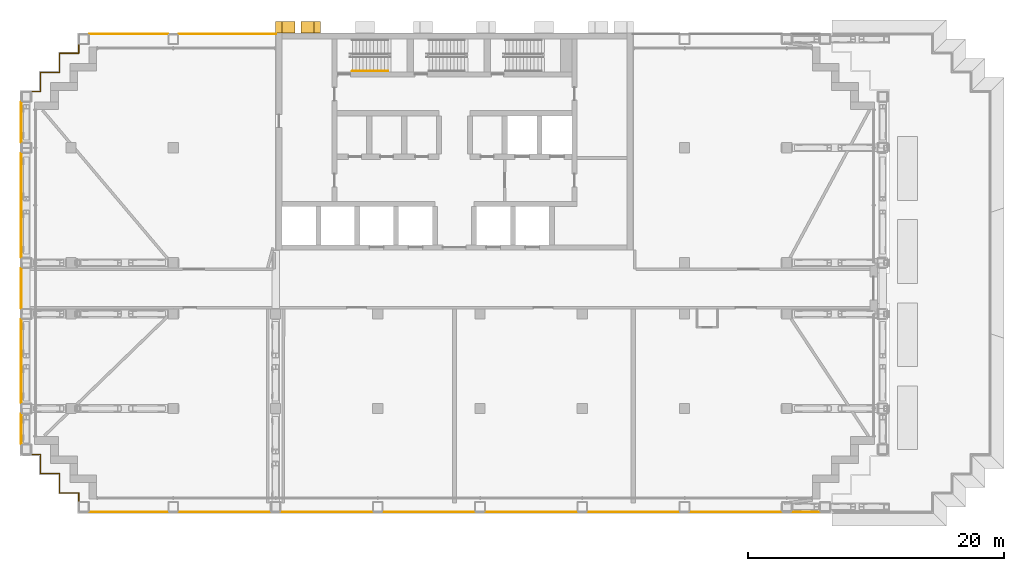
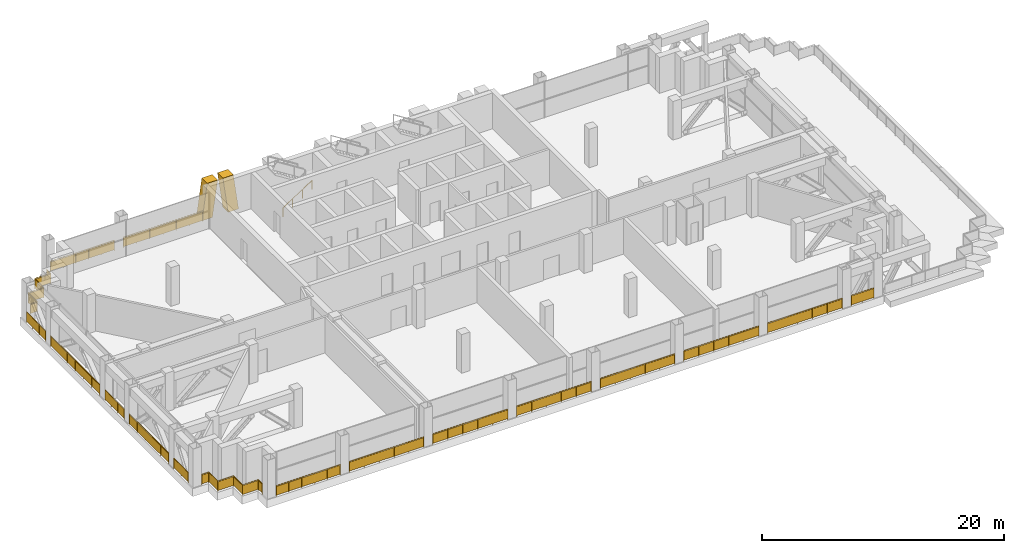
# One storey, part 23 of 25: 18 railings, 2 shading devices.
"""IFC4 building model written with IfcOpenShell, lengths in metres."""

import ifcopenshell
import ifcopenshell.guid

model = None  # the IFC model being written
_history = None  # IfcOwnerHistory: only IFC2X3 demands one
_inside = {}  # id of a spatial element -> (the spatial element, [elements in it])
_under = {}  # id of a project, library or spatial element -> (it, [spatial elements below it])
_declared = {}  # id of a project -> (the project, [libraries it declares])
_typed = {}  # id of a type object -> (the type object, [elements of that type])
_made_of = {}  # id of a material, layer set ... -> (it, [elements and type objects made of it])


def new_model(schema):
    """Start an empty IFC model of exactly this schema.

    Asked for "IFC4X3", IfcOpenShell would pick the latest addendum, in which some entities
    have other attributes; the version numbers below select the first issue.
    IFC2X3 requires an IfcOwnerHistory on every rooted entity: one is made here for all.
    """
    global model, _history
    if schema == "IFC4X3":
        model = ifcopenshell.file(schema_version=(4, 3, 0, 0))
    else:
        model = ifcopenshell.file(schema=schema)
    _inside.clear()
    _under.clear()
    _declared.clear()
    _typed.clear()
    _made_of.clear()
    _history = None
    if model.schema == "IFC2X3":
        org = make("IfcOrganization", Name="unknown")
        user = make(
            "IfcPersonAndOrganization",
            ThePerson=make("IfcPerson", FamilyName="unknown"),
            TheOrganization=org,
        )
        app = make(
            "IfcApplication",
            ApplicationDeveloper=org,
            Version="unknown",
            ApplicationFullName="unknown",
            ApplicationIdentifier="unknown",
        )
        _history = make(
            "IfcOwnerHistory",
            OwningUser=user,
            OwningApplication=app,
            ChangeAction="ADDED",
            CreationDate=0,
        )
    return model


def make(cls, **values):
    """One entity of the class cls with the attributes given. An attribute that is None is left unset."""
    return model.create_entity(
        cls, **{name: value for name, value in values.items() if value is not None}
    )


def rooted(cls, **values):
    """An entity with a GlobalId (a new one), such as an element, a storey or a relation."""
    return make(cls, GlobalId=ifcopenshell.guid.new(), OwnerHistory=_history, **values)


def si_unit(unit_type, name, prefix=None):
    """IfcSIUnit, for example si_unit("LENGTHUNIT", "METRE", prefix="MILLI")."""
    return make("IfcSIUnit", UnitType=unit_type, Prefix=prefix, Name=name)


def assignment(units):
    """IfcUnitAssignment: the units of a project."""
    return None if units is None else make("IfcUnitAssignment", Units=units)


def point(xyz):
    """IfcCartesianPoint."""
    return None if xyz is None else make("IfcCartesianPoint", Coordinates=xyz)


def direction(xyz):
    """IfcDirection."""
    return None if xyz is None else make("IfcDirection", DirectionRatios=xyz)


def frame(location, z_axis=None, x_axis=None):
    """IfcAxis2Placement3D, a coordinate frame: its origin and axes. An axis left out is left unset."""
    return make(
        "IfcAxis2Placement3D",
        Location=point(location),
        Axis=direction(z_axis),
        RefDirection=direction(x_axis),
    )


def frame_2d(location, x_axis=None):
    """IfcAxis2Placement2D, a coordinate frame in the plane: its origin and x axis."""
    return make(
        "IfcAxis2Placement2D", Location=point(location), RefDirection=direction(x_axis)
    )


def origin():
    """The frame at (0, 0, 0) with its axes left unset."""
    return frame((0.0, 0.0, 0.0))


def origin_2d():
    """The frame at (0, 0) in the plane with its x axis left unset."""
    return frame_2d((0.0, 0.0))


def place(relative_to, where):
    """IfcLocalPlacement: puts the frame where relative to a parent placement (None: the world)."""
    return make(
        "IfcLocalPlacement", PlacementRelTo=relative_to, RelativePlacement=where
    )


def context(
    kind, dimensions, precision=None, world=None, true_north=None, identifier=None
):
    """IfcGeometricRepresentationContext, for example the 3D "Model" context."""
    return make(
        "IfcGeometricRepresentationContext",
        ContextIdentifier=identifier,
        ContextType=kind,
        CoordinateSpaceDimension=dimensions,
        Precision=precision,
        WorldCoordinateSystem=world,
        TrueNorth=true_north,
    )


def subcontext(parent, identifier, kind, view, scale=None):
    """IfcGeometricRepresentationSubContext, for example "Body" below "Model"."""
    return make(
        "IfcGeometricRepresentationSubContext",
        ContextIdentifier=identifier,
        ContextType=kind,
        ParentContext=parent,
        TargetScale=scale,
        TargetView=view,
    )


def project(units=None, contexts=None):
    """IfcProject with its units and contexts."""
    return rooted(
        "IfcProject",
        Name="project",
        RepresentationContexts=contexts,
        UnitsInContext=assignment(units),
    )


def spatial(cls, under=None, at=None, **own):
    """A site, building, storey or space (cls), placed at a placement, below another one or the project."""
    s = rooted(cls, ObjectPlacement=at, **own)
    if under is not None:
        _under.setdefault(under.id(), (under, []))[1].append(s)
    return s


def polyline(points):
    """IfcPolyline through the points."""
    return make("IfcPolyline", Points=[point(p) for p in points])


def profile(cls, at=None, kind="AREA", **sizes):
    """A parametric profile (cls). Its sizes go by their IFC names, for example OverallWidth=200.0."""
    return make(cls, ProfileType=kind, Position=at, **sizes)


def rectangle(**sizes):
    """IfcRectangleProfileDef."""
    return profile("IfcRectangleProfileDef", **sizes)


def circle(**sizes):
    """IfcCircleProfileDef."""
    return profile("IfcCircleProfileDef", **sizes)


def outline(outer, holes=None, kind="AREA"):
    """IfcArbitraryClosedProfileDef: a profile drawn as a closed curve; with holes, ...WithVoids."""
    if holes is None:
        return make("IfcArbitraryClosedProfileDef", ProfileType=kind, OuterCurve=outer)
    return make(
        "IfcArbitraryProfileDefWithVoids",
        ProfileType=kind,
        OuterCurve=outer,
        InnerCurves=holes,
    )


def extrude(swept, where, along, depth):
    """IfcExtrudedAreaSolid: the profile swept, set in the frame where, extruded along a direction by depth."""
    return make(
        "IfcExtrudedAreaSolid",
        SweptArea=swept,
        Position=where,
        ExtrudedDirection=direction(along),
        Depth=depth,
    )


def shape(context_of_items, identifier, shape_type, items):
    """IfcShapeRepresentation: the items that make up one representation, for example the "Body"."""
    return make(
        "IfcShapeRepresentation",
        ContextOfItems=context_of_items,
        RepresentationIdentifier=identifier,
        RepresentationType=shape_type,
        Items=items,
    )


def material(Name=None, Category=None):
    """IfcMaterial."""
    return make("IfcMaterial", Name=Name, Category=Category)


def layer(
    of_material, thickness, ventilated=None, Name=None, Category=None, Priority=None
):
    """IfcMaterialLayer: one layer of a wall or slab, of a material (None: an air gap)."""
    return make(
        "IfcMaterialLayer",
        Material=of_material,
        LayerThickness=thickness,
        IsVentilated=ventilated,
        Name=Name,
        Category=Category,
        Priority=Priority,
    )


def layer_set(layers, Name=None):
    """IfcMaterialLayerSet."""
    return make("IfcMaterialLayerSet", MaterialLayers=layers, LayerSetName=Name)


def made_of(thing, what):
    """Note that an element or type object is made of a material, layer set ...; save() writes the relation."""
    if what is not None:
        _made_of.setdefault(what.id(), (what, []))[1].append(thing)
    return thing


def type_object(cls, material=None, **own):
    """A type object (cls), such as IfcWallType, which elements share."""
    return made_of(rooted(cls, **own), material)


def element(
    cls,
    number,
    at=None,
    inside=None,
    cuts=None,
    type_object=None,
    material=None,
    context=None,
    identifier="Body",
    shape_type=None,
    held_by="IfcProductDefinitionShape",
    body=None,
    shapes=None,
    **own,
):
    """One element of the class cls, such as IfcWall. Its Tag is "e" and its number.

    at: its placement. inside: the storey or other place that contains it. cuts: it is an
    opening in that element (IfcRelVoidsElement). A single representation is given by context,
    identifier, shape_type and body (its items); several are given by shapes. held_by: the class
    of the entity that holds the representations. save() writes the other relations.
    """
    e = rooted(cls, Tag="e%d" % number, ObjectPlacement=at, **own)
    if body is not None:
        shapes = [shape(context, identifier, shape_type, body)]
    if shapes is not None:
        e.Representation = make(held_by, Representations=shapes)
    if inside is not None:
        _inside.setdefault(inside.id(), (inside, []))[1].append(e)
    if cuts is not None:
        rooted(
            "IfcRelVoidsElement", RelatingBuildingElement=cuts, RelatedOpeningElement=e
        )
    if type_object is not None:
        _typed.setdefault(type_object.id(), (type_object, []))[1].append(e)
    return made_of(e, material)


def aggregate(whole, parts):
    """IfcRelAggregates: a whole, such as a stair, and the parts it consists of."""
    return rooted("IfcRelAggregates", RelatingObject=whole, RelatedObjects=parts)


def save(model, path):
    """Write the relations noted so far, then the file.

    IfcRelAggregates (storeys below a building ...), IfcRelContainedInSpatialStructure (elements
    in a storey), IfcRelDefinesByType, IfcRelAssociatesMaterial and IfcRelDeclares: one each for
    every whole, place, type object, material and project.
    """
    for whole, parts in _under.values():
        aggregate(whole, parts)
    for where, things in _inside.values():
        rooted(
            "IfcRelContainedInSpatialStructure",
            RelatedElements=things,
            RelatingStructure=where,
        )
    for kind, things in _typed.values():
        rooted("IfcRelDefinesByType", RelatedObjects=things, RelatingType=kind)
    for what, things in _made_of.values():
        rooted("IfcRelAssociatesMaterial", RelatedObjects=things, RelatingMaterial=what)
    for by, libraries in _declared.values():
        rooted("IfcRelDeclares", RelatingContext=by, RelatedDefinitions=libraries)
    model.write(path)


model = new_model("IFC4")

# Units and contexts
model_context = context("Model", 3, precision=1e-05, world=origin(), true_north=direction((0.0, 1.0)))
body_context = subcontext(model_context, "Body", "Model", "MODEL_VIEW")
ifc_project = project(units=[si_unit("LENGTHUNIT", "METRE"), si_unit("AREAUNIT", "SQUARE_METRE"), si_unit("VOLUMEUNIT", "CUBIC_METRE"), si_unit("PLANEANGLEUNIT", "RADIAN"), si_unit("MASSUNIT", "GRAM", prefix="KILO")], contexts=[model_context])

# Site, building, storey
site_placement = place(None, origin())
site = spatial("IfcSite", under=ifc_project, at=site_placement, CompositionType="ELEMENT")
building_placement = place(site_placement, origin())
building = spatial("IfcBuilding", under=site, at=building_placement, Name="Vidyagriha Tower", CompositionType="ELEMENT")
storey_placement = place(building_placement, frame((0.0, 0.0, 115.89990234375)))
storey = spatial("IfcBuildingStorey", under=building, at=storey_placement, Name="L29", CompositionType="ELEMENT", Elevation=115.89990234375)

# Shading devices
ifc_material_1 = material(Name="Precast concrete C40/50 with brick facing", Category="concrete")
ifc_layer = layer(ifc_material_1, 1.0)
ifc_layer_set = layer_set([ifc_layer], Name="Precast concrete C40/50 with brick facing")
shading_device_type = type_object("IfcShadingDeviceType", Name="Brick-faced rear rib arm leaning 8 degrees", PredefinedType="USERDEFINED", material=ifc_layer_set)
shading_device_1_placement = place(storey_placement, frame((-10.5, 20.449951171875, 0.0), z_axis=(0.0, 0.0, 1.0), x_axis=(-1.0, 0.0, 0.0)))
element("IfcShadingDevice", 1, at=shading_device_1_placement, inside=storey, type_object=shading_device_type, Name="Rear rib arm L29 R08.5a", ObjectType="BLADE FIN", PredefinedType="USERDEFINED", context=body_context, shape_type="SweptSolid", body=[
    extrude(outline(polyline([(0.0, 0.0), (1.0, 0.0), (1.5, 3.6201171875), (0.5, 3.6201171875), (0.0, 0.0)])), frame((0.0, 0.449951171875, 0.0), z_axis=(0.0, -1.0, 0.0), x_axis=(1.0, 0.0, 0.0)), (0.0, 0.0, 1.0), 0.89990234375),
])
shading_device_2_placement = place(storey_placement, frame((-12.5, 20.449951171875, 0.0), z_axis=(0.0, 0.0, 1.0), x_axis=(-1.0, 0.0, 0.0)))
element("IfcShadingDevice", 2, at=shading_device_2_placement, inside=storey, type_object=shading_device_type, Name="Rear rib arm L29 R08.5b", ObjectType="BLADE FIN", PredefinedType="USERDEFINED", context=body_context, shape_type="SweptSolid", body=[
    extrude(outline(polyline([(0.5, 0.0), (1.5, 0.0), (1.0, 3.6201171875), (0.0, 3.6201171875), (0.5, 0.0)])), frame((0.0, 0.449951171875, 0.0), z_axis=(0.0, -1.0, 0.0), x_axis=(1.0, 0.0, 0.0)), (0.0, 0.0, 1.0), 0.89990234375),
])

# Railings
ifc_material_2 = material(Name="Steel ASTM A500 Grade C black painted", Category="steel")
railing_type_1 = type_object("IfcRailingType", Name="Gallery guard 1100", PredefinedType="GUARDRAIL", material=ifc_material_2)
railing_1_placement = place(storey_placement, frame((-33.89990234375, -12.169921875, 0.0)))
element("IfcRailing", 3, at=railing_1_placement, inside=storey, type_object=railing_type_1, Name="Gallery guard L29 1", PredefinedType="GUARDRAIL", context=body_context, shape_type="SweptSolid", body=[
    extrude(circle(Radius=0.02490234375, at=origin_2d()), frame((0.0, 0.0, 1.0751953125), z_axis=(0.0, 1.0, 0.0), x_axis=(-1.0, 0.0, 0.0)), (0.0, 0.0, 1.0), 2.33984375),
    extrude(circle(Radius=0.02001953125, at=origin_2d()), origin(), (0.0, 0.0, 1.0), 1.050048828125),
    extrude(circle(Radius=0.02001953125, at=origin_2d()), frame((0.0, 1.169921875, 0.0)), (0.0, 0.0, 1.0), 1.050048828125),
    extrude(circle(Radius=0.02001953125, at=origin_2d()), frame((0.0, 2.33984375, 0.0)), (0.0, 0.0, 1.0), 1.050048828125),
    extrude(rectangle(XDim=0.010009765625, YDim=0.900146484375, at=origin_2d()), frame((0.0, 0.0, 0.550048828125), z_axis=(0.0, 1.0, 0.0), x_axis=(-1.0, 0.0, 0.0)), (0.0, 0.0, 1.0), 2.33984375),
])
railing_2_placement = place(storey_placement, frame((-33.89990234375, -8.969970703125, 0.0)))
element("IfcRailing", 4, at=railing_2_placement, inside=storey, type_object=railing_type_1, Name="Gallery guard L29 2", PredefinedType="GUARDRAIL", context=body_context, shape_type="SweptSolid", body=[
    extrude(circle(Radius=0.02490234375, at=origin_2d()), frame((0.0, 0.0, 1.0751953125), z_axis=(0.0, 1.0, 0.0), x_axis=(-1.0, 0.0, 0.0)), (0.0, 0.0, 1.0), 6.5400390625),
    extrude(circle(Radius=0.02001953125, at=origin_2d()), origin(), (0.0, 0.0, 1.0), 1.050048828125),
    extrude(circle(Radius=0.02001953125, at=origin_2d()), frame((0.0, 1.30810546875, 0.0)), (0.0, 0.0, 1.0), 1.050048828125),
    extrude(circle(Radius=0.02001953125, at=origin_2d()), frame((0.0, 2.615966796875, 0.0)), (0.0, 0.0, 1.0), 1.050048828125),
    extrude(circle(Radius=0.02001953125, at=origin_2d()), frame((0.0, 3.924072265625, 0.0)), (0.0, 0.0, 1.0), 1.050048828125),
    extrude(circle(Radius=0.02001953125, at=origin_2d()), frame((0.0, 5.23193359375, 0.0)), (0.0, 0.0, 1.0), 1.050048828125),
    extrude(circle(Radius=0.02001953125, at=origin_2d()), frame((0.0, 6.5400390625, 0.0)), (0.0, 0.0, 1.0), 1.050048828125),
    extrude(rectangle(XDim=0.010009765625, YDim=0.900146484375, at=origin_2d()), frame((0.0, 0.0, 0.550048828125), z_axis=(0.0, 1.0, 0.0), x_axis=(-1.0, 0.0, 0.0)), (0.0, 0.0, 1.0), 6.5400390625),
])
railing_3_placement = place(storey_placement, frame((-33.89990234375, -1.570068359375, 0.0)))
element("IfcRailing", 5, at=railing_3_placement, inside=storey, type_object=railing_type_1, Name="Gallery guard L29 3", PredefinedType="GUARDRAIL", context=body_context, shape_type="SweptSolid", body=[
    extrude(circle(Radius=0.02490234375, at=origin_2d()), frame((0.0, 0.0, 1.0751953125), z_axis=(0.0, 1.0, 0.0), x_axis=(-1.0, 0.0, 0.0)), (0.0, 0.0, 1.0), 3.14013671875),
    extrude(circle(Radius=0.02001953125, at=origin_2d()), origin(), (0.0, 0.0, 1.0), 1.050048828125),
    extrude(circle(Radius=0.02001953125, at=origin_2d()), frame((0.0, 1.046630859375, 0.0)), (0.0, 0.0, 1.0), 1.050048828125),
    extrude(circle(Radius=0.02001953125, at=origin_2d()), frame((0.0, 2.093505859375, 0.0)), (0.0, 0.0, 1.0), 1.050048828125),
    extrude(circle(Radius=0.02001953125, at=origin_2d()), frame((0.0, 3.14013671875, 0.0)), (0.0, 0.0, 1.0), 1.050048828125),
    extrude(rectangle(XDim=0.010009765625, YDim=0.900146484375, at=origin_2d()), frame((0.0, 0.0, 0.550048828125), z_axis=(0.0, 1.0, 0.0), x_axis=(-1.0, 0.0, 0.0)), (0.0, 0.0, 1.0), 3.14013671875),
])
railing_4_placement = place(storey_placement, frame((-33.89990234375, 2.429931640625, 0.0)))
element("IfcRailing", 6, at=railing_4_placement, inside=storey, type_object=railing_type_1, Name="Gallery guard L29 4", PredefinedType="GUARDRAIL", context=body_context, shape_type="SweptSolid", body=[
    extrude(circle(Radius=0.02490234375, at=origin_2d()), frame((0.0, 0.0, 1.0751953125), z_axis=(0.0, 1.0, 0.0), x_axis=(-1.0, 0.0, 0.0)), (0.0, 0.0, 1.0), 8.14013671875),
    extrude(circle(Radius=0.02001953125, at=origin_2d()), origin(), (0.0, 0.0, 1.0), 1.050048828125),
    extrude(circle(Radius=0.02001953125, at=origin_2d()), frame((0.0, 1.356689453125, 0.0)), (0.0, 0.0, 1.0), 1.050048828125),
    extrude(circle(Radius=0.02001953125, at=origin_2d()), frame((0.0, 2.71337890625, 0.0)), (0.0, 0.0, 1.0), 1.050048828125),
    extrude(circle(Radius=0.02001953125, at=origin_2d()), frame((0.0, 4.070068359375, 0.0)), (0.0, 0.0, 1.0), 1.050048828125),
    extrude(circle(Radius=0.02001953125, at=origin_2d()), frame((0.0, 5.4267578125, 0.0)), (0.0, 0.0, 1.0), 1.050048828125),
    extrude(circle(Radius=0.02001953125, at=origin_2d()), frame((0.0, 6.783447265625, 0.0)), (0.0, 0.0, 1.0), 1.050048828125),
    extrude(circle(Radius=0.02001953125, at=origin_2d()), frame((0.0, 8.14013671875, 0.0)), (0.0, 0.0, 1.0), 1.050048828125),
    extrude(rectangle(XDim=0.010009765625, YDim=0.900146484375, at=origin_2d()), frame((0.0, 0.0, 0.550048828125), z_axis=(0.0, 1.0, 0.0), x_axis=(-1.0, 0.0, 0.0)), (0.0, 0.0, 1.0), 8.14013671875),
])
railing_5_placement = place(storey_placement, frame((-33.89990234375, 11.429931640625, 0.0)))
element("IfcRailing", 7, at=railing_5_placement, inside=storey, type_object=railing_type_1, Name="Gallery guard L29 5", PredefinedType="GUARDRAIL", context=body_context, shape_type="SweptSolid", body=[
    extrude(circle(Radius=0.02490234375, at=origin_2d()), frame((0.0, 0.0, 1.0751953125), z_axis=(0.0, 1.0, 0.0), x_axis=(-1.0, 0.0, 0.0)), (0.0, 0.0, 1.0), 3.14013671875),
    extrude(circle(Radius=0.02001953125, at=origin_2d()), origin(), (0.0, 0.0, 1.0), 1.050048828125),
    extrude(circle(Radius=0.02001953125, at=origin_2d()), frame((0.0, 1.046630859375, 0.0)), (0.0, 0.0, 1.0), 1.050048828125),
    extrude(circle(Radius=0.02001953125, at=origin_2d()), frame((0.0, 2.093505859375, 0.0)), (0.0, 0.0, 1.0), 1.050048828125),
    extrude(circle(Radius=0.02001953125, at=origin_2d()), frame((0.0, 3.14013671875, 0.0)), (0.0, 0.0, 1.0), 1.050048828125),
    extrude(rectangle(XDim=0.010009765625, YDim=0.900146484375, at=origin_2d()), frame((0.0, 0.0, 0.550048828125), z_axis=(0.0, 1.0, 0.0), x_axis=(-1.0, 0.0, 0.0)), (0.0, 0.0, 1.0), 3.14013671875),
])
railing_6_placement = place(storey_placement, frame((-29.39990234375, -16.669921875, 0.0)))
element("IfcRailing", 8, at=railing_6_placement, inside=storey, type_object=railing_type_1, Name="Gallery guard L29 6", PredefinedType="GUARDRAIL", context=body_context, shape_type="SweptSolid", body=[
    extrude(circle(Radius=0.02490234375, at=origin_2d()), frame((0.0, 0.0, 1.0751953125), z_axis=(0.0, 1.0, 0.0), x_axis=(-1.0, 0.0, 0.0)), (0.0, 0.0, 1.0), 0.669921875),
    extrude(circle(Radius=0.02490234375, at=origin_2d()), frame((0.0, 0.669921875, 1.0751953125), z_axis=(-1.0, 0.0, 0.0), x_axis=(0.0, -1.0, 0.0)), (0.0, 0.0, 1.0), 1.5),
    extrude(circle(Radius=0.02490234375, at=origin_2d()), frame((-1.5, 0.669921875, 1.0751953125), z_axis=(0.0, 1.0, 0.0), x_axis=(-1.0, 0.0, 0.0)), (0.0, 0.0, 1.0), 1.5),
    extrude(circle(Radius=0.02490234375, at=origin_2d()), frame((-1.5, 2.169921875, 1.0751953125), z_axis=(-1.0, 0.0, 0.0), x_axis=(0.0, -1.0, 0.0)), (0.0, 0.0, 1.0), 1.5),
    extrude(circle(Radius=0.02490234375, at=origin_2d()), frame((-3.0, 2.169921875, 1.0751953125), z_axis=(0.0, 1.0, 0.0), x_axis=(-1.0, 0.0, 0.0)), (0.0, 0.0, 1.0), 1.5),
    extrude(circle(Radius=0.02490234375, at=origin_2d()), frame((-3.0, 3.669921875, 1.0751953125), z_axis=(-1.0, 0.0, 0.0), x_axis=(0.0, -1.0, 0.0)), (0.0, 0.0, 1.0), 0.670166015625),
    extrude(circle(Radius=0.02001953125, at=origin_2d()), origin(), (0.0, 0.0, 1.0), 1.050048828125),
    extrude(circle(Radius=0.02001953125, at=origin_2d()), frame((0.0, 0.669921875, 0.0)), (0.0, 0.0, 1.0), 1.050048828125),
    extrude(circle(Radius=0.02001953125, at=origin_2d()), frame((-1.5, 0.669921875, 0.0)), (0.0, 0.0, 1.0), 1.050048828125),
    extrude(circle(Radius=0.02001953125, at=origin_2d()), frame((-1.5, 2.169921875, 0.0)), (0.0, 0.0, 1.0), 1.050048828125),
    extrude(circle(Radius=0.02001953125, at=origin_2d()), frame((-3.0, 2.169921875, 0.0)), (0.0, 0.0, 1.0), 1.050048828125),
    extrude(circle(Radius=0.02001953125, at=origin_2d()), frame((-3.0, 3.669921875, 0.0)), (0.0, 0.0, 1.0), 1.050048828125),
    extrude(circle(Radius=0.02001953125, at=origin_2d()), frame((-3.670166015625, 3.669921875, 0.0)), (0.0, 0.0, 1.0), 1.050048828125),
    extrude(rectangle(XDim=0.010009765625, YDim=0.900146484375, at=origin_2d()), frame((0.0, 0.0, 0.550048828125), z_axis=(0.0, 1.0, 0.0), x_axis=(-1.0, 0.0, 0.0)), (0.0, 0.0, 1.0), 0.669921875),
    extrude(rectangle(XDim=0.010009765625, YDim=0.900146484375, at=origin_2d()), frame((0.0, 0.669921875, 0.550048828125), z_axis=(-1.0, 0.0, 0.0), x_axis=(0.0, -1.0, 0.0)), (0.0, 0.0, 1.0), 1.5),
    extrude(rectangle(XDim=0.010009765625, YDim=0.900146484375, at=origin_2d()), frame((-1.5, 0.669921875, 0.550048828125), z_axis=(0.0, 1.0, 0.0), x_axis=(-1.0, 0.0, 0.0)), (0.0, 0.0, 1.0), 1.5),
    extrude(rectangle(XDim=0.010009765625, YDim=0.900146484375, at=origin_2d()), frame((-1.5, 2.169921875, 0.550048828125), z_axis=(-1.0, 0.0, 0.0), x_axis=(0.0, -1.0, 0.0)), (0.0, 0.0, 1.0), 1.5),
    extrude(rectangle(XDim=0.010009765625, YDim=0.900146484375, at=origin_2d()), frame((-3.0, 2.169921875, 0.550048828125), z_axis=(0.0, 1.0, 0.0), x_axis=(-1.0, 0.0, 0.0)), (0.0, 0.0, 1.0), 1.5),
    extrude(rectangle(XDim=0.010009765625, YDim=0.900146484375, at=origin_2d()), frame((-3.0, 3.669921875, 0.550048828125), z_axis=(-1.0, 0.0, 0.0), x_axis=(0.0, -1.0, 0.0)), (0.0, 0.0, 1.0), 0.670166015625),
])
railing_7_placement = place(storey_placement, frame((-33.070068359375, 15.39990234375, 0.0)))
element("IfcRailing", 9, at=railing_7_placement, inside=storey, type_object=railing_type_1, Name="Gallery guard L29 7", PredefinedType="GUARDRAIL", context=body_context, shape_type="SweptSolid", body=[
    extrude(circle(Radius=0.02490234375, at=origin_2d()), frame((0.0, 0.0, 1.0751953125), z_axis=(1.0, 0.0, 0.0), x_axis=(0.0, 1.0, 0.0)), (0.0, 0.0, 1.0), 0.670166015625),
    extrude(circle(Radius=0.02490234375, at=origin_2d()), frame((0.670166015625, 0.0, 1.0751953125), z_axis=(0.0, 1.0, 0.0), x_axis=(-1.0, 0.0, 0.0)), (0.0, 0.0, 1.0), 1.5),
    extrude(circle(Radius=0.02490234375, at=origin_2d()), frame((0.670166015625, 1.5, 1.0751953125), z_axis=(1.0, 0.0, 0.0), x_axis=(0.0, 1.0, 0.0)), (0.0, 0.0, 1.0), 1.5),
    extrude(circle(Radius=0.02490234375, at=origin_2d()), frame((2.170166015625, 1.5, 1.0751953125), z_axis=(0.0, 1.0, 0.0), x_axis=(-1.0, 0.0, 0.0)), (0.0, 0.0, 1.0), 1.5),
    extrude(circle(Radius=0.02490234375, at=origin_2d()), frame((2.170166015625, 3.0, 1.0751953125), z_axis=(1.0, 0.0, 0.0), x_axis=(0.0, 1.0, 0.0)), (0.0, 0.0, 1.0), 1.5),
    extrude(circle(Radius=0.02490234375, at=origin_2d()), frame((3.670166015625, 3.0, 1.0751953125), z_axis=(0.0, 1.0, 0.0), x_axis=(-1.0, 0.0, 0.0)), (0.0, 0.0, 1.0), 0.670166015625),
    extrude(circle(Radius=0.02001953125, at=origin_2d()), origin(), (0.0, 0.0, 1.0), 1.050048828125),
    extrude(circle(Radius=0.02001953125, at=origin_2d()), frame((0.670166015625, 0.0, 0.0)), (0.0, 0.0, 1.0), 1.050048828125),
    extrude(circle(Radius=0.02001953125, at=origin_2d()), frame((0.670166015625, 1.5, 0.0)), (0.0, 0.0, 1.0), 1.050048828125),
    extrude(circle(Radius=0.02001953125, at=origin_2d()), frame((2.170166015625, 1.5, 0.0)), (0.0, 0.0, 1.0), 1.050048828125),
    extrude(circle(Radius=0.02001953125, at=origin_2d()), frame((2.170166015625, 3.0, 0.0)), (0.0, 0.0, 1.0), 1.050048828125),
    extrude(circle(Radius=0.02001953125, at=origin_2d()), frame((3.670166015625, 3.0, 0.0)), (0.0, 0.0, 1.0), 1.050048828125),
    extrude(circle(Radius=0.02001953125, at=origin_2d()), frame((3.670166015625, 3.670166015625, 0.0)), (0.0, 0.0, 1.0), 1.050048828125),
    extrude(rectangle(XDim=0.010009765625, YDim=0.900146484375, at=origin_2d()), frame((0.0, 0.0, 0.550048828125), z_axis=(1.0, 0.0, 0.0), x_axis=(0.0, 1.0, 0.0)), (0.0, 0.0, 1.0), 0.670166015625),
    extrude(rectangle(XDim=0.010009765625, YDim=0.900146484375, at=origin_2d()), frame((0.670166015625, 0.0, 0.550048828125), z_axis=(0.0, 1.0, 0.0), x_axis=(-1.0, 0.0, 0.0)), (0.0, 0.0, 1.0), 1.5),
    extrude(rectangle(XDim=0.010009765625, YDim=0.900146484375, at=origin_2d()), frame((0.670166015625, 1.5, 0.550048828125), z_axis=(1.0, 0.0, 0.0), x_axis=(0.0, 1.0, 0.0)), (0.0, 0.0, 1.0), 1.5),
    extrude(rectangle(XDim=0.010009765625, YDim=0.900146484375, at=origin_2d()), frame((2.170166015625, 1.5, 0.550048828125), z_axis=(0.0, 1.0, 0.0), x_axis=(-1.0, 0.0, 0.0)), (0.0, 0.0, 1.0), 1.5),
    extrude(rectangle(XDim=0.010009765625, YDim=0.900146484375, at=origin_2d()), frame((2.170166015625, 3.0, 0.550048828125), z_axis=(1.0, 0.0, 0.0), x_axis=(0.0, 1.0, 0.0)), (0.0, 0.0, 1.0), 1.5),
    extrude(rectangle(XDim=0.010009765625, YDim=0.900146484375, at=origin_2d()), frame((3.670166015625, 3.0, 0.550048828125), z_axis=(0.0, 1.0, 0.0), x_axis=(-1.0, 0.0, 0.0)), (0.0, 0.0, 1.0), 0.670166015625),
])
railing_8_placement = place(storey_placement, frame((-22.429931640625, -17.5, 0.0)))
element("IfcRailing", 10, at=railing_8_placement, inside=storey, type_object=railing_type_1, Name="Gallery guard L29 8", PredefinedType="GUARDRAIL", context=body_context, shape_type="SweptSolid", body=[
    extrude(circle(Radius=0.02490234375, at=origin_2d()), frame((0.0, 0.0, 1.0751953125), z_axis=(-1.0, 0.0, 0.0), x_axis=(0.0, -1.0, 0.0)), (0.0, 0.0, 1.0), 6.14013671875),
    extrude(circle(Radius=0.02001953125, at=origin_2d()), origin(), (0.0, 0.0, 1.0), 1.050048828125),
    extrude(circle(Radius=0.02001953125, at=origin_2d()), frame((-1.22802734375, 0.0, 0.0)), (0.0, 0.0, 1.0), 1.050048828125),
    extrude(circle(Radius=0.02001953125, at=origin_2d()), frame((-2.4560546875, 0.0, 0.0)), (0.0, 0.0, 1.0), 1.050048828125),
    extrude(circle(Radius=0.02001953125, at=origin_2d()), frame((-3.68408203125, 0.0, 0.0)), (0.0, 0.0, 1.0), 1.050048828125),
    extrude(circle(Radius=0.02001953125, at=origin_2d()), frame((-4.912109375, 0.0, 0.0)), (0.0, 0.0, 1.0), 1.050048828125),
    extrude(circle(Radius=0.02001953125, at=origin_2d()), frame((-6.14013671875, 0.0, 0.0)), (0.0, 0.0, 1.0), 1.050048828125),
    extrude(rectangle(XDim=0.010009765625, YDim=0.900146484375, at=origin_2d()), frame((0.0, 0.0, 0.550048828125), z_axis=(-1.0, 0.0, 0.0), x_axis=(0.0, -1.0, 0.0)), (0.0, 0.0, 1.0), 6.14013671875),
])
railing_9_placement = place(storey_placement, frame((-28.570068359375, 19.89990234375, 0.0)))
element("IfcRailing", 11, at=railing_9_placement, inside=storey, type_object=railing_type_1, Name="Gallery guard L29 9", PredefinedType="GUARDRAIL", context=body_context, shape_type="SweptSolid", body=[
    extrude(circle(Radius=0.02490234375, at=origin_2d()), frame((0.0, 0.0, 1.0751953125), z_axis=(1.0, 0.0, 0.0), x_axis=(0.0, 1.0, 0.0)), (0.0, 0.0, 1.0), 6.14013671875),
    extrude(circle(Radius=0.02001953125, at=origin_2d()), origin(), (0.0, 0.0, 1.0), 1.050048828125),
    extrude(circle(Radius=0.02001953125, at=origin_2d()), frame((1.22802734375, 0.0, 0.0)), (0.0, 0.0, 1.0), 1.050048828125),
    extrude(circle(Radius=0.02001953125, at=origin_2d()), frame((2.4560546875, 0.0, 0.0)), (0.0, 0.0, 1.0), 1.050048828125),
    extrude(circle(Radius=0.02001953125, at=origin_2d()), frame((3.68408203125, 0.0, 0.0)), (0.0, 0.0, 1.0), 1.050048828125),
    extrude(circle(Radius=0.02001953125, at=origin_2d()), frame((4.912109375, 0.0, 0.0)), (0.0, 0.0, 1.0), 1.050048828125),
    extrude(circle(Radius=0.02001953125, at=origin_2d()), frame((6.14013671875, 0.0, 0.0)), (0.0, 0.0, 1.0), 1.050048828125),
    extrude(rectangle(XDim=0.010009765625, YDim=0.900146484375, at=origin_2d()), frame((0.0, 0.0, 0.550048828125), z_axis=(1.0, 0.0, 0.0), x_axis=(0.0, 1.0, 0.0)), (0.0, 0.0, 1.0), 6.14013671875),
])
railing_10_placement = place(storey_placement, frame((-14.429931640625, -17.5, 0.0)))
element("IfcRailing", 12, at=railing_10_placement, inside=storey, type_object=railing_type_1, Name="Gallery guard L29 10", PredefinedType="GUARDRAIL", context=body_context, shape_type="SweptSolid", body=[
    extrude(circle(Radius=0.02490234375, at=origin_2d()), frame((0.0, 0.0, 1.0751953125), z_axis=(-1.0, 0.0, 0.0), x_axis=(0.0, -1.0, 0.0)), (0.0, 0.0, 1.0), 7.14013671875),
    extrude(circle(Radius=0.02001953125, at=origin_2d()), origin(), (0.0, 0.0, 1.0), 1.050048828125),
    extrude(circle(Radius=0.02001953125, at=origin_2d()), frame((-1.427978515625, 0.0, 0.0)), (0.0, 0.0, 1.0), 1.050048828125),
    extrude(circle(Radius=0.02001953125, at=origin_2d()), frame((-2.85595703125, 0.0, 0.0)), (0.0, 0.0, 1.0), 1.050048828125),
    extrude(circle(Radius=0.02001953125, at=origin_2d()), frame((-4.2841796875, 0.0, 0.0)), (0.0, 0.0, 1.0), 1.050048828125),
    extrude(circle(Radius=0.02001953125, at=origin_2d()), frame((-5.712158203125, 0.0, 0.0)), (0.0, 0.0, 1.0), 1.050048828125),
    extrude(circle(Radius=0.02001953125, at=origin_2d()), frame((-7.14013671875, 0.0, 0.0)), (0.0, 0.0, 1.0), 1.050048828125),
    extrude(rectangle(XDim=0.010009765625, YDim=0.900146484375, at=origin_2d()), frame((0.0, 0.0, 0.550048828125), z_axis=(-1.0, 0.0, 0.0), x_axis=(0.0, -1.0, 0.0)), (0.0, 0.0, 1.0), 7.14013671875),
])
railing_11_placement = place(storey_placement, frame((-21.570068359375, 19.89990234375, 0.0)))
element("IfcRailing", 13, at=railing_11_placement, inside=storey, type_object=railing_type_1, Name="Gallery guard L29 11", PredefinedType="GUARDRAIL", context=body_context, shape_type="SweptSolid", body=[
    extrude(circle(Radius=0.02490234375, at=origin_2d()), frame((0.0, 0.0, 1.0751953125), z_axis=(1.0, 0.0, 0.0), x_axis=(0.0, 1.0, 0.0)), (0.0, 0.0, 1.0), 7.590087890625),
    extrude(circle(Radius=0.02001953125, at=origin_2d()), origin(), (0.0, 0.0, 1.0), 1.050048828125),
    extrude(circle(Radius=0.02001953125, at=origin_2d()), frame((1.26513671875, 0.0, 0.0)), (0.0, 0.0, 1.0), 1.050048828125),
    extrude(circle(Radius=0.02001953125, at=origin_2d()), frame((2.530029296875, 0.0, 0.0)), (0.0, 0.0, 1.0), 1.050048828125),
    extrude(circle(Radius=0.02001953125, at=origin_2d()), frame((3.794921875, 0.0, 0.0)), (0.0, 0.0, 1.0), 1.050048828125),
    extrude(circle(Radius=0.02001953125, at=origin_2d()), frame((5.06005859375, 0.0, 0.0)), (0.0, 0.0, 1.0), 1.050048828125),
    extrude(circle(Radius=0.02001953125, at=origin_2d()), frame((6.3251953125, 0.0, 0.0)), (0.0, 0.0, 1.0), 1.050048828125),
    extrude(circle(Radius=0.02001953125, at=origin_2d()), frame((7.590087890625, 0.0, 0.0)), (0.0, 0.0, 1.0), 1.050048828125),
    extrude(rectangle(XDim=0.010009765625, YDim=0.900146484375, at=origin_2d()), frame((0.0, 0.0, 0.550048828125), z_axis=(1.0, 0.0, 0.0), x_axis=(0.0, 1.0, 0.0)), (0.0, 0.0, 1.0), 7.590087890625),
])
for number, where, name in (
    (14, (-6.429931640625, -17.5, 0.0), "Gallery guard L29 12"),
    (15, (1.570068359375, -17.5, 0.0), "Gallery guard L29 13"),
    (16, (9.570068359375, -17.5, 0.0), "Gallery guard L29 14"),
    (17, (17.570068359375, -17.5, 0.0), "Gallery guard L29 15"),
    (18, (25.570068359375, -17.5, 0.0), "Gallery guard L29 17"),
):
    element("IfcRailing", number, at=place(storey_placement, frame(where)), inside=storey, type_object=railing_type_1, Name=name, PredefinedType="GUARDRAIL", context=body_context, shape_type="SweptSolid", body=[
        extrude(circle(Radius=0.02490234375, at=origin_2d()), frame((0.0, 0.0, 1.0751953125), z_axis=(-1.0, 0.0, 0.0), x_axis=(0.0, -1.0, 0.0)), (0.0, 0.0, 1.0), 7.14013671875),
        extrude(circle(Radius=0.02001953125, at=origin_2d()), origin(), (0.0, 0.0, 1.0), 1.050048828125),
        extrude(circle(Radius=0.02001953125, at=origin_2d()), frame((-1.427978515625, 0.0, 0.0)), (0.0, 0.0, 1.0), 1.050048828125),
        extrude(circle(Radius=0.02001953125, at=origin_2d()), frame((-2.85595703125, 0.0, 0.0)), (0.0, 0.0, 1.0), 1.050048828125),
        extrude(circle(Radius=0.02001953125, at=origin_2d()), frame((-4.2841796875, 0.0, 0.0)), (0.0, 0.0, 1.0), 1.050048828125),
        extrude(circle(Radius=0.02001953125, at=origin_2d()), frame((-5.712158203125, 0.0, 0.0)), (0.0, 0.0, 1.0), 1.050048828125),
        extrude(circle(Radius=0.02001953125, at=origin_2d()), frame((-7.14013671875, 0.0, 0.0)), (0.0, 0.0, 1.0), 1.050048828125),
        extrude(rectangle(XDim=0.010009765625, YDim=0.900146484375, at=origin_2d()), frame((0.0, 0.0, 0.550048828125), z_axis=(-1.0, 0.0, 0.0), x_axis=(0.0, -1.0, 0.0)), (0.0, 0.0, 1.0), 7.14013671875),
    ])
railing_12_placement = place(storey_placement, frame((28.570068359375, -17.5, 0.0)))
element("IfcRailing", 19, at=railing_12_placement, inside=storey, type_object=railing_type_1, Name="Gallery guard L29 19", PredefinedType="GUARDRAIL", context=body_context, shape_type="SweptSolid", body=[
    extrude(circle(Radius=0.02490234375, at=origin_2d()), frame((0.0, 0.0, 1.0751953125), z_axis=(-1.0, 0.0, 0.0), x_axis=(0.0, -1.0, 0.0)), (0.0, 0.0, 1.0), 2.14013671875),
    extrude(circle(Radius=0.02001953125, at=origin_2d()), origin(), (0.0, 0.0, 1.0), 1.050048828125),
    extrude(circle(Radius=0.02001953125, at=origin_2d()), frame((-1.070068359375, 0.0, 0.0)), (0.0, 0.0, 1.0), 1.050048828125),
    extrude(circle(Radius=0.02001953125, at=origin_2d()), frame((-2.14013671875, 0.0, 0.0)), (0.0, 0.0, 1.0), 1.050048828125),
    extrude(rectangle(XDim=0.010009765625, YDim=0.900146484375, at=origin_2d()), frame((0.0, 0.0, 0.550048828125), z_axis=(-1.0, 0.0, 0.0), x_axis=(0.0, -1.0, 0.0)), (0.0, 0.0, 1.0), 2.14013671875),
])
ifc_material_3 = material(Name="Steel ASTM A500 Grade C", Category="steel")
railing_type_2 = type_object("IfcRailingType", Name="Stair handrail 900 mm, steel", PredefinedType="HANDRAIL", material=ifc_material_3)
railing_13_placement = place(storey_placement, frame((-8.0, 17.0, 0.177490234375)))
element("IfcRailing", 20, at=railing_13_placement, inside=storey, type_object=railing_type_2, Name="L29 ST1 stair handrail 1", PredefinedType="HANDRAIL", context=body_context, shape_type="SweptSolid", body=[
    extrude(circle(Radius=0.02392578125, at=origin_2d()), frame((0.0, 0.0, 0.8759765625), z_axis=(0.844908973607, 0.0, 0.534910110503), x_axis=(0.0, 1.0, 0.0)), (0.0, 0.0, 1.0), 3.31396484375),
    extrude(circle(Radius=0.02099609375, at=origin_2d()), origin(), (0.0, 0.0, 1.0), 0.851806640625),
    extrude(circle(Radius=0.02099609375, at=origin_2d()), frame((0.933349609375, 0.0, 0.5908203125)), (0.0, 0.0, 1.0), 0.851806640625),
    extrude(circle(Radius=0.02099609375, at=origin_2d()), frame((1.86669921875, 0.0, 1.181884765625)), (0.0, 0.0, 1.0), 0.851806640625),
    extrude(circle(Radius=0.02099609375, at=origin_2d()), frame((2.800048828125, 0.0, 1.772705078125)), (0.0, 0.0, 1.0), 0.851806640625),
])

save(model, "model.ifc")
